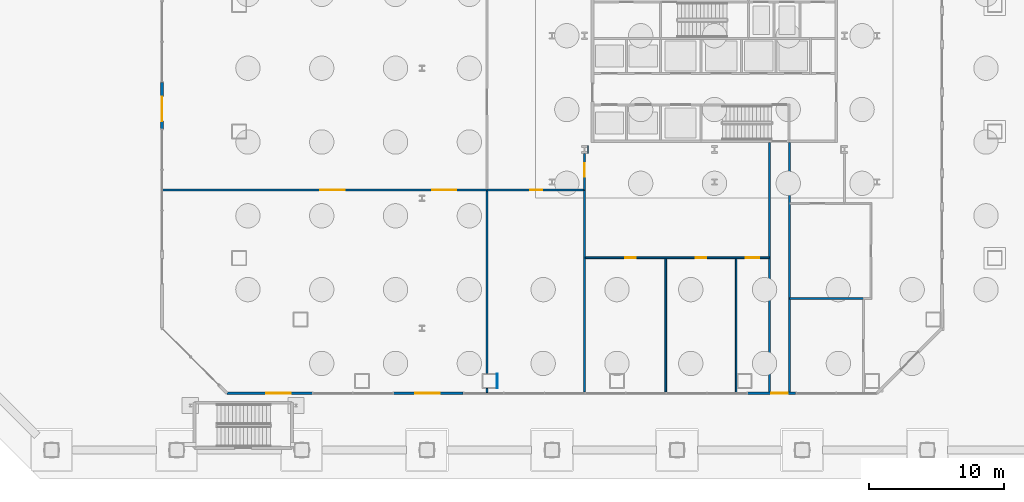
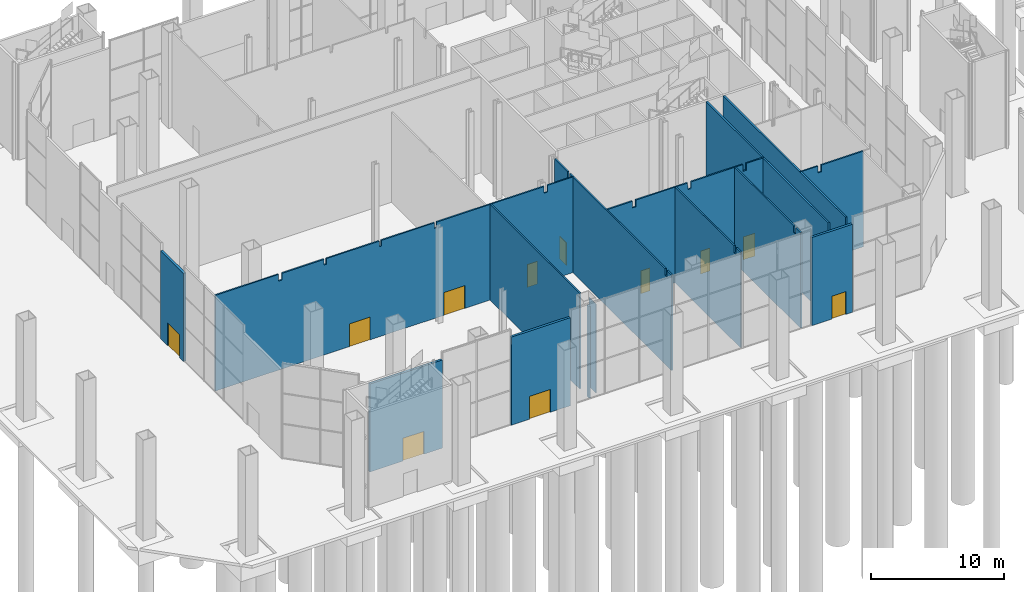
# One storey, part 23 of 38: 18 walls, 11 doors, 11 openings.
"""IFC4 building model written with IfcOpenShell, lengths in metres."""

from ifc_helpers import new_model, si_unit, direction, frame, frame_2d, origin, place, context, subcontext, project, spatial, polyline, rectangle, outline, extrude, material, layer, layer_set, type_object, element, fill, save


model = new_model("IFC4")

# Units and contexts
model_context = context("Model", 3, precision=1e-05, world=origin(), true_north=direction((0.0, 1.0)))
body_context = subcontext(model_context, "Body", "Model", "MODEL_VIEW")
ifc_project = project(units=[si_unit("LENGTHUNIT", "METRE"), si_unit("AREAUNIT", "SQUARE_METRE"), si_unit("VOLUMEUNIT", "CUBIC_METRE"), si_unit("PLANEANGLEUNIT", "RADIAN"), si_unit("MASSUNIT", "GRAM", prefix="KILO")], contexts=[model_context])

# Site, building, storey
site_placement = place(None, origin())
site = spatial("IfcSite", under=ifc_project, at=site_placement, CompositionType="ELEMENT")
building_placement = place(site_placement, origin())
building = spatial("IfcBuilding", under=site, at=building_placement, Name="Cairn Pilgrim Tower", CompositionType="ELEMENT")
storey_placement = place(building_placement, origin())
storey = spatial("IfcBuildingStorey", under=building, at=storey_placement, Name="L00", CompositionType="ELEMENT", Elevation=0.0)

# Walls
ifc_material_1 = material(Name="Concrete C32/40", Category="concrete")
ifc_layer_1 = layer(ifc_material_1, 0.14990234375)
ifc_layer_set_1 = layer_set([ifc_layer_1], Name="CORE SHAFT WALL 150 EI 120")
wall_type_1 = type_object("IfcWallType", Name="CORE SHAFT WALL 150 EI 120", PredefinedType="SOLIDWALL", material=ifc_layer_set_1)
for number, where, z_axis, x_axis, name in (
    (1, (11.25, -23.89990234375, 0.0), (0.0, 0.0, 1.0), (0.0, 1.0, 0.0), "CW:L00:XPA1"),
    (2, (12.75, -23.89990234375, 0.0), (0.0, 0.0, 1.0), (0.0, 1.0, 0.0), "CW:L00:XPA2"),
):
    element("IfcWall", number, at=place(storey_placement, frame(where, z_axis=z_axis, x_axis=x_axis)), inside=storey, type_object=wall_type_1, Name=name, PredefinedType="SOLIDWALL", context=body_context, shape_type="SweptSolid", body=[
        extrude(rectangle(XDim=18.39990234375, YDim=0.14990234375, at=frame_2d((9.199951171875, 0.0))), origin(), (0.0, 0.0, 1.0), 8.800048828125),
    ])

# Wall, opening, door
ifc_material_2 = material(Name="Concrete C35/45 backup wall with bronze aluminium cladding", Category="concrete")
ifc_layer_2 = layer(ifc_material_2, 0.199951171875)
ifc_layer_set_2 = layer_set([ifc_layer_2], Name="ENTRANCE PORTAL WALL 200 BRONZE-CLAD")
wall_type_2 = type_object("IfcWallType", Name="ENTRANCE PORTAL WALL 200 BRONZE-CLAD", PredefinedType="SOLIDWALL", material=ifc_layer_set_2)
wall_1_placement = place(storey_placement, frame((-22.5, -24.0, 0.0), z_axis=(0.0, 0.0, 1.0), x_axis=(-1.0, 0.0, 0.0)))
wall_1 = element("IfcWall", 3, at=wall_1_placement, inside=storey, type_object=wall_type_2, Name="ENTRANCE PORTAL 0.1", PredefinedType="SOLIDWALL", context=body_context, shape_type="SweptSolid", body=[
    extrude(rectangle(XDim=6.300048828125, YDim=0.199951171875, at=frame_2d((3.14990234375, 0.0))), origin(), (0.0, 0.0, 1.0), 8.10009765625),
])
opening_1_placement = place(wall_1_placement, frame((1.60009765625, 0.0, 0.0)))
opening_1 = element("IfcOpeningElement", 4, at=opening_1_placement, cuts=wall_1, Name="Opening X01", PredefinedType="OPENING", context=body_context, shape_type="SweptSolid", body=[
    extrude(rectangle(XDim=1.800048828125, YDim=2.10009765625, at=frame_2d((0.89990234375, 1.050048828125))), frame((0.0, 0.10986328125, 0.0), z_axis=(0.0, -1.0, 0.0), x_axis=(1.0, 0.0, 0.0)), (0.0, 0.0, 1.0), 0.219970703125),
])
ifc_material_3 = material(Name="Bronze anodised aluminium frame with tinted toughened glass", Category="aluminium")
door_type_1 = type_object("IfcDoorType", Name="PAVILION EXIT DOOR PAIR 1800x2100", OperationType="DOUBLE_DOOR_SINGLE_SWING", PredefinedType="DOOR", material=ifc_material_3)
door_1_placement = place(opening_1_placement, origin())
door_1 = element("IfcDoor", 5, at=door_1_placement, inside=storey, type_object=door_type_1, Name="PAVILION EXIT DOOR", OperationType="SINGLE_SWING_LEFT", OverallHeight=2.10009765625, OverallWidth=1.800048828125, PredefinedType="DOOR", context=body_context, shape_type="SweptSolid", body=[
    extrude(rectangle(XDim=1.800048828125, YDim=2.10009765625, at=frame_2d((0.89990234375, 1.050048828125))), frame((0.0, 0.02490234375, 0.0), z_axis=(0.0, -1.0, 0.0), x_axis=(1.0, 0.0, 0.0)), (0.0, 0.0, 1.0), 0.050048828125),
])
fill(opening_1, door_1)

wall_2_placement = place(storey_placement, frame((-11.35009765625, -24.0, 0.0), z_axis=(0.0, 0.0, 1.0), x_axis=(-1.0, 0.0, 0.0)))
wall_2 = element("IfcWall", 6, at=wall_2_placement, inside=storey, type_object=wall_type_2, Name="ENTRANCE PORTAL 0.3", PredefinedType="SOLIDWALL", context=body_context, shape_type="SweptSolid", body=[
    extrude(rectangle(XDim=5.14990234375, YDim=0.199951171875, at=frame_2d((2.574951171875, 0.0))), origin(), (0.0, 0.0, 1.0), 8.10009765625),
])
opening_2_placement = place(wall_2_placement, frame((1.75, 0.0, 0.0)))
opening_2 = element("IfcOpeningElement", 7, at=opening_2_placement, cuts=wall_2, Name="Opening X03", PredefinedType="OPENING", context=body_context, shape_type="SweptSolid", body=[
    extrude(rectangle(XDim=1.800048828125, YDim=2.10009765625, at=frame_2d((0.89990234375, 1.050048828125))), frame((0.0, 0.10986328125, 0.0), z_axis=(0.0, -1.0, 0.0), x_axis=(1.0, 0.0, 0.0)), (0.0, 0.0, 1.0), 0.219970703125),
])
door_2_placement = place(opening_2_placement, origin())
door_2 = element("IfcDoor", 8, at=door_2_placement, inside=storey, type_object=door_type_1, Name="PAVILION EXIT DOOR", OperationType="SINGLE_SWING_LEFT", OverallHeight=2.10009765625, OverallWidth=1.800048828125, PredefinedType="DOOR", context=body_context, shape_type="SweptSolid", body=[
    extrude(rectangle(XDim=1.800048828125, YDim=2.10009765625, at=frame_2d((0.89990234375, 1.050048828125))), frame((0.0, 0.02490234375, 0.0), z_axis=(0.0, -1.0, 0.0), x_axis=(1.0, 0.0, 0.0)), (0.0, 0.0, 1.0), 0.050048828125),
])
fill(opening_2, door_2)

wall_3_placement = place(storey_placement, frame((13.199951171875, -24.0, 0.0), z_axis=(0.0, 0.0, 1.0), x_axis=(-1.0, 0.0, 0.0)))
wall_3 = element("IfcWall", 9, at=wall_3_placement, inside=storey, type_object=wall_type_2, Name="ENTRANCE PORTAL 0.5", PredefinedType="SOLIDWALL", context=body_context, shape_type="SweptSolid", body=[
    extrude(rectangle(XDim=3.550048828125, YDim=0.199951171875, at=frame_2d((1.77490234375, 0.0))), origin(), (0.0, 0.0, 1.0), 8.10009765625),
])
opening_3_placement = place(wall_3_placement, frame((0.60009765625, 0.0, 0.0)))
opening_3 = element("IfcOpeningElement", 10, at=opening_3_placement, cuts=wall_3, Name="Opening X05", PredefinedType="OPENING", context=body_context, shape_type="SweptSolid", body=[
    extrude(rectangle(XDim=1.199951171875, YDim=2.10009765625, at=frame_2d((0.60009765625, 1.050048828125))), frame((0.0, 0.10986328125, 0.0), z_axis=(0.0, -1.0, 0.0), x_axis=(1.0, 0.0, 0.0)), (0.0, 0.0, 1.0), 0.219970703125),
])
ifc_material_4 = material(Name="Painted steel", Category="steel")
door_type_2 = type_object("IfcDoorType", Name="PAVILION EXIT DOOR 1200x2100 FD60S", OperationType="SINGLE_SWING_LEFT", PredefinedType="DOOR", material=ifc_material_4)
door_3_placement = place(opening_3_placement, origin())
door_3 = element("IfcDoor", 11, at=door_3_placement, inside=storey, type_object=door_type_2, Name="PAVILION EXIT DOOR", OperationType="SINGLE_SWING_LEFT", OverallHeight=2.10009765625, OverallWidth=1.199951171875, PredefinedType="DOOR", context=body_context, shape_type="SweptSolid", body=[
    extrude(rectangle(XDim=1.199951171875, YDim=2.10009765625, at=frame_2d((0.60009765625, 1.050048828125))), frame((0.0, 0.02490234375, 0.0), z_axis=(0.0, -1.0, 0.0), x_axis=(1.0, 0.0, 0.0)), (0.0, 0.0, 1.0), 0.050048828125),
])
fill(opening_3, door_3)

wall_4_placement = place(storey_placement, frame((-33.60009765625, -4.5, 0.0), z_axis=(0.0, 0.0, 1.0), x_axis=(0.0, 1.0, 0.0)))
wall_4 = element("IfcWall", 12, at=wall_4_placement, inside=storey, type_object=wall_type_2, Name="ENTRANCE PORTAL 6.6", PredefinedType="SOLIDWALL", context=body_context, shape_type="SweptSolid", body=[
    extrude(rectangle(XDim=3.449951171875, YDim=0.199951171875, at=frame_2d((1.72509765625, 0.0))), origin(), (0.0, 0.0, 1.0), 8.10009765625),
])
opening_4_placement = place(wall_4_placement, frame((0.60009765625, 0.0, 0.0)))
opening_4 = element("IfcOpeningElement", 13, at=opening_4_placement, cuts=wall_4, Name="Opening X66", PredefinedType="OPENING", context=body_context, shape_type="SweptSolid", body=[
    extrude(rectangle(XDim=1.800048828125, YDim=2.10009765625, at=frame_2d((0.89990234375, 1.050048828125))), frame((0.0, 0.10986328125, 0.0), z_axis=(0.0, -1.0, 0.0), x_axis=(1.0, 0.0, 0.0)), (0.0, 0.0, 1.0), 0.219970703125),
])
door_4_placement = place(opening_4_placement, origin())
door_4 = element("IfcDoor", 14, at=door_4_placement, inside=storey, type_object=door_type_1, Name="PAVILION EXIT DOOR", OperationType="SINGLE_SWING_LEFT", OverallHeight=2.10009765625, OverallWidth=1.800048828125, PredefinedType="DOOR", context=body_context, shape_type="SweptSolid", body=[
    extrude(rectangle(XDim=1.800048828125, YDim=2.10009765625, at=frame_2d((0.89990234375, 1.050048828125))), frame((0.0, 0.02490234375, 0.0), z_axis=(0.0, -1.0, 0.0), x_axis=(1.0, 0.0, 0.0)), (0.0, 0.0, 1.0), 0.050048828125),
])
fill(opening_4, door_4)

# Walls
ifc_material_5 = material(Name="Gypsum partition")
ifc_layer_3 = layer(ifc_material_5, 0.125)
ifc_layer_set_3 = layer_set([ifc_layer_3], Name="PARTITION 125 DRYWALL EI 60")
wall_type_3 = type_object("IfcWallType", Name="PARTITION 125 DRYWALL EI 60", PredefinedType="PARTITIONING", material=ifc_layer_set_3)
wall_5_placement = place(storey_placement, frame((-9.60009765625, -23.9560546875, 0.0), z_axis=(0.0, 0.0, 1.0), x_axis=(0.0, 1.0, 0.0)))
element("IfcWall", 15, at=wall_5_placement, inside=storey, type_object=wall_type_3, Name="PARTITION W001", PredefinedType="PARTITIONING", context=body_context, shape_type="SweptSolid", body=[
    extrude(rectangle(XDim=0.30615234375, YDim=0.125, at=frame_2d((0.153076171875, 0.0))), origin(), (0.0, 0.0, 1.0), 8.419921875),
])
wall_6_placement = place(storey_placement, frame((8.800048828125, -23.9560546875, 0.0), z_axis=(0.0, 0.0, 1.0), x_axis=(0.0, 1.0, 0.0)))
element("IfcWall", 16, at=wall_6_placement, inside=storey, type_object=wall_type_3, Name="PARTITION W002", PredefinedType="PARTITIONING", context=body_context, shape_type="SweptSolid", body=[
    extrude(outline(polyline([(0.0, 0.0), (9.8935546875, 0.0), (9.8935546875, 8.800048828125), (1.006103515625, 8.800048828125), (1.00390625, 8.179931640625), (0.7060546875, 8.179931640625), (0.7041015625, 8.800048828125), (0.0, 8.800048828125), (0.0, 0.0)])), frame((0.0, 0.0625, 0.0), z_axis=(0.0, -1.0, 0.0), x_axis=(1.0, 0.0, 0.0)), (0.0, 0.0, 1.0), 0.125),
])
wall_7_placement = place(storey_placement, frame((-2.39990234375, -23.906005859375, 0.0), z_axis=(0.0, 0.0, 1.0), x_axis=(0.0, 1.0, 0.0)))
element("IfcWall", 17, at=wall_7_placement, inside=storey, type_object=wall_type_3, Name="PARTITION W004", PredefinedType="PARTITIONING", context=body_context, shape_type="SweptSolid", body=[
    extrude(outline(polyline([(0.0, 0.0), (14.906005859375, 0.0), (14.906005859375, 8.800048828125), (0.9560546875, 8.800048828125), (0.9541015625, 8.179931640625), (0.656005859375, 8.179931640625), (0.654052734375, 8.800048828125), (0.0, 8.800048828125), (0.0, 0.0)])), frame((0.0, 0.0625, 0.0), z_axis=(0.0, -1.0, 0.0), x_axis=(1.0, 0.0, 0.0)), (0.0, 0.0, 1.0), 0.125),
])
wall_8_placement = place(storey_placement, frame((3.60009765625, -23.906005859375, 0.0), z_axis=(0.0, 0.0, 1.0), x_axis=(0.0, 1.0, 0.0)))
element("IfcWall", 18, at=wall_8_placement, inside=storey, type_object=wall_type_3, Name="PARTITION W005", PredefinedType="PARTITIONING", context=body_context, shape_type="SweptSolid", body=[
    extrude(outline(polyline([(0.0, 0.0), (9.843505859375, 0.0), (9.843505859375, 8.800048828125), (0.9560546875, 8.800048828125), (0.9541015625, 8.179931640625), (0.656005859375, 8.179931640625), (0.654052734375, 8.800048828125), (0.0, 8.800048828125), (0.0, 0.0)])), frame((0.0, 0.0625, 0.0), z_axis=(0.0, -1.0, 0.0), x_axis=(1.0, 0.0, 0.0)), (0.0, 0.0, 1.0), 0.125),
])
wall_9_placement = place(storey_placement, frame((-9.60009765625, -22.550048828125, 0.0), z_axis=(0.0, 0.0, 1.0), x_axis=(0.0, 1.0, 0.0)))
element("IfcWall", 19, at=wall_9_placement, inside=storey, type_object=wall_type_3, Name="PARTITION W006", PredefinedType="PARTITIONING", context=body_context, shape_type="SweptSolid", body=[
    extrude(rectangle(XDim=13.487548828125, YDim=0.125, at=frame_2d((6.74365234375, 0.0))), origin(), (0.0, 0.0, 1.0), 8.800048828125),
])
wall_10_placement = place(storey_placement, frame((12.75, -17.0, 0.0), z_axis=(0.0, 0.0, 1.0), x_axis=(1.0, 0.0, 0.0)))
element("IfcWall", 20, at=wall_10_placement, inside=storey, type_object=wall_type_3, Name="PARTITION W007", PredefinedType="PARTITIONING", context=body_context, shape_type="SweptSolid", body=[
    extrude(outline(polyline([(0.0, 0.0), (5.449951171875, 0.0), (5.449951171875, 8.800048828125), (1.800048828125, 8.800048828125), (1.798095703125, 8.179931640625), (1.5, 8.179931640625), (1.498046875, 8.800048828125), (0.0, 8.800048828125), (0.0, 0.0)])), frame((0.0, 0.0625, 0.0), z_axis=(0.0, -1.0, 0.0), x_axis=(1.0, 0.0, 0.0)), (0.0, 0.0, 1.0), 0.125),
])

# Wall, openings, doors
wall_11_placement = place(storey_placement, frame((-2.33740234375, -14.0, 0.0), z_axis=(0.0, 0.0, 1.0), x_axis=(1.0, 0.0, 0.0)))
wall_11 = element("IfcWall", 21, at=wall_11_placement, inside=storey, type_object=wall_type_3, Name="PARTITION W010", PredefinedType="PARTITIONING", context=body_context, shape_type="SweptSolid", body=[
    extrude(outline(polyline([(0.0, 0.0), (13.58740234375, 0.0), (13.58740234375, 8.800048828125), (12.08740234375, 8.800048828125), (12.08544921875, 8.179931640625), (11.78759765625, 8.179931640625), (11.785400390625, 8.800048828125), (7.28759765625, 8.800048828125), (7.285400390625, 8.179931640625), (6.987548828125, 8.179931640625), (6.985595703125, 8.800048828125), (2.487548828125, 8.800048828125), (2.485595703125, 8.179931640625), (2.1875, 8.179931640625), (2.185546875, 8.800048828125), (0.0, 8.800048828125), (0.0, 0.0)])), frame((0.0, 0.0625, 0.0), z_axis=(0.0, -1.0, 0.0), x_axis=(1.0, 0.0, 0.0)), (0.0, 0.0, 1.0), 0.125),
])
opening_5_placement = place(wall_11_placement, frame((2.9375, 0.0, 0.0)))
opening_5 = element("IfcOpeningElement", 22, at=opening_5_placement, cuts=wall_11, Name="Opening 0010", PredefinedType="OPENING", context=body_context, shape_type="SweptSolid", body=[
    extrude(rectangle(XDim=0.800048828125, YDim=2.10009765625, at=frame_2d((0.39990234375, 1.050048828125))), frame((0.0, 0.072509765625, 0.0), z_axis=(0.0, -1.0, 0.0), x_axis=(1.0, 0.0, 0.0)), (0.0, 0.0, 1.0), 0.14501953125),
])
opening_6_placement = place(wall_11_placement, frame((8.137451171875, 0.0, 0.0)))
opening_6 = element("IfcOpeningElement", 23, at=opening_6_placement, cuts=wall_11, Name="Opening 0011", PredefinedType="OPENING", context=body_context, shape_type="SweptSolid", body=[
    extrude(rectangle(XDim=0.800048828125, YDim=2.10009765625, at=frame_2d((0.39990234375, 1.050048828125))), frame((0.0, 0.072509765625, 0.0), z_axis=(0.0, -1.0, 0.0), x_axis=(1.0, 0.0, 0.0)), (0.0, 0.0, 1.0), 0.14501953125),
])
opening_7_placement = place(wall_11_placement, frame((11.83740234375, 0.0, 0.0)))
opening_7 = element("IfcOpeningElement", 24, at=opening_7_placement, cuts=wall_11, Name="Opening 0012", PredefinedType="OPENING", context=body_context, shape_type="SweptSolid", body=[
    extrude(rectangle(XDim=1.0, YDim=2.10009765625, at=frame_2d((0.5, 1.050048828125))), frame((0.0, 0.072509765625, 0.0), z_axis=(0.0, -1.0, 0.0), x_axis=(1.0, 0.0, 0.0)), (0.0, 0.0, 1.0), 0.14501953125),
])
ifc_material_6 = material(Name="Timber door leaf", Category="wood")
door_type_3 = type_object("IfcDoorType", Name="ACCESSIBLE DOOR 1000x2100 FD30S", OperationType="NOTDEFINED", PredefinedType="DOOR", material=ifc_material_6)
door_5_placement = place(opening_7_placement, frame((1.0, 0.0, 0.0), z_axis=(0.0, 0.0, 1.0), x_axis=(-1.0, 0.0, 0.0)))
door_5 = element("IfcDoor", 25, at=door_5_placement, inside=storey, type_object=door_type_3, Name="DOOR 0012", OperationType="SINGLE_SWING_LEFT", OverallHeight=2.10009765625, OverallWidth=1.0, PredefinedType="DOOR", context=body_context, shape_type="SweptSolid", body=[
    extrude(rectangle(XDim=1.0, YDim=2.10009765625, at=frame_2d((0.5, 1.050048828125))), frame((0.0, 0.02490234375, 0.0), z_axis=(0.0, -1.0, 0.0), x_axis=(1.0, 0.0, 0.0)), (0.0, 0.0, 1.0), 0.050048828125),
])
fill(opening_7, door_5)
door_type_4 = type_object("IfcDoorType", Name="WC DOOR 800x2100 FD30S", OperationType="NOTDEFINED", PredefinedType="DOOR", material=ifc_material_6)
door_6_placement = place(opening_5_placement, frame((0.800048828125, 0.0, 0.0), z_axis=(0.0, 0.0, 1.0), x_axis=(-1.0, 0.0, 0.0)))
door_6 = element("IfcDoor", 26, at=door_6_placement, inside=storey, type_object=door_type_4, Name="DOOR 0010", OperationType="SINGLE_SWING_LEFT", OverallHeight=2.10009765625, OverallWidth=0.800048828125, PredefinedType="DOOR", context=body_context, shape_type="SweptSolid", body=[
    extrude(rectangle(XDim=0.800048828125, YDim=2.10009765625, at=frame_2d((0.39990234375, 1.050048828125))), frame((0.0, 0.02490234375, 0.0), z_axis=(0.0, -1.0, 0.0), x_axis=(1.0, 0.0, 0.0)), (0.0, 0.0, 1.0), 0.050048828125),
])
fill(opening_5, door_6)
door_7_placement = place(opening_6_placement, frame((0.800048828125, 0.0, 0.0), z_axis=(0.0, 0.0, 1.0), x_axis=(-1.0, 0.0, 0.0)))
door_7 = element("IfcDoor", 27, at=door_7_placement, inside=storey, type_object=door_type_4, Name="DOOR 0011", OperationType="SINGLE_SWING_RIGHT", OverallHeight=2.10009765625, OverallWidth=0.800048828125, PredefinedType="DOOR", context=body_context, shape_type="SweptSolid", body=[
    extrude(rectangle(XDim=0.800048828125, YDim=2.10009765625, at=frame_2d((0.39990234375, 1.050048828125))), frame((0.0, 0.02490234375, 0.0), z_axis=(0.0, -1.0, 0.0), x_axis=(1.0, 0.0, 0.0)), (0.0, 0.0, 1.0), 0.050048828125),
])
fill(opening_6, door_7)

wall_12_placement = place(storey_placement, frame((-33.555908203125, -9.0, 0.0), z_axis=(0.0, 0.0, 1.0), x_axis=(1.0, 0.0, 0.0)))
wall_12 = element("IfcWall", 28, at=wall_12_placement, inside=storey, type_object=wall_type_3, Name="PARTITION W014", PredefinedType="PARTITIONING", context=body_context, shape_type="SweptSolid", body=[
    extrude(outline(polyline([(0.0, 0.0), (23.955810546875, 0.0), (23.9560546875, 8.800048828125), (19.256103515625, 8.800048828125), (19.25390625, 8.280029296875), (19.055908203125, 8.280029296875), (19.053955078125, 8.800048828125), (14.4560546875, 8.800048828125), (14.4541015625, 8.280029296875), (14.256103515625, 8.280029296875), (14.25390625, 8.800048828125), (9.656005859375, 8.800048828125), (9.654052734375, 8.280029296875), (9.4560546875, 8.280029296875), (9.4541015625, 8.800048828125), (5.805908203125, 8.800048828125), (5.803955078125, 8.179931640625), (5.506103515625, 8.179931640625), (5.50390625, 8.800048828125), (0.0, 8.800048828125), (0.0, 0.0)])), frame((0.0, 0.0625, 0.0), z_axis=(0.0, -1.0, 0.0), x_axis=(1.0, 0.0, 0.0)), (0.0, 0.0, 1.0), 0.125),
])
opening_8_placement = place(wall_12_placement, frame((11.656005859375, 0.0, 0.0)))
opening_8 = element("IfcOpeningElement", 29, at=opening_8_placement, cuts=wall_12, Name="Opening 0006", PredefinedType="OPENING", context=body_context, shape_type="SweptSolid", body=[
    extrude(rectangle(XDim=1.800048828125, YDim=2.10009765625, at=frame_2d((0.89990234375, 1.050048828125))), frame((0.0, 0.072509765625, 0.0), z_axis=(0.0, -1.0, 0.0), x_axis=(1.0, 0.0, 0.0)), (0.0, 0.0, 1.0), 0.14501953125),
])
opening_9_placement = place(wall_12_placement, frame((19.906005859375, 0.0, 0.0)))
opening_9 = element("IfcOpeningElement", 30, at=opening_9_placement, cuts=wall_12, Name="Opening 0007", PredefinedType="OPENING", context=body_context, shape_type="SweptSolid", body=[
    extrude(rectangle(XDim=1.800048828125, YDim=2.10009765625, at=frame_2d((0.89990234375, 1.050048828125))), frame((0.0, 0.072509765625, 0.0), z_axis=(0.0, -1.0, 0.0), x_axis=(1.0, 0.0, 0.0)), (0.0, 0.0, 1.0), 0.14501953125),
])
door_type_5 = type_object("IfcDoorType", Name="DOOR PAIR 1800x2100 FD60S", OperationType="NOTDEFINED", PredefinedType="DOOR", material=ifc_material_6)
door_8_placement = place(opening_8_placement, origin())
door_8 = element("IfcDoor", 31, at=door_8_placement, inside=storey, type_object=door_type_5, Name="DOOR 0006", OperationType="DOUBLE_DOOR_SINGLE_SWING", OverallHeight=2.10009765625, OverallWidth=1.800048828125, PredefinedType="DOOR", context=body_context, shape_type="SweptSolid", body=[
    extrude(rectangle(XDim=1.800048828125, YDim=2.10009765625, at=frame_2d((0.89990234375, 1.050048828125))), frame((0.0, 0.02490234375, 0.0), z_axis=(0.0, -1.0, 0.0), x_axis=(1.0, 0.0, 0.0)), (0.0, 0.0, 1.0), 0.050048828125),
])
fill(opening_8, door_8)
door_9_placement = place(opening_9_placement, origin())
door_9 = element("IfcDoor", 32, at=door_9_placement, inside=storey, type_object=door_type_5, Name="DOOR 0007", OperationType="DOUBLE_DOOR_SINGLE_SWING", OverallHeight=2.10009765625, OverallWidth=1.800048828125, PredefinedType="DOOR", context=body_context, shape_type="SweptSolid", body=[
    extrude(rectangle(XDim=1.800048828125, YDim=2.10009765625, at=frame_2d((0.89990234375, 1.050048828125))), frame((0.0, 0.02490234375, 0.0), z_axis=(0.0, -1.0, 0.0), x_axis=(1.0, 0.0, 0.0)), (0.0, 0.0, 1.0), 0.050048828125),
])
fill(opening_9, door_9)

# Wall, opening, door
wall_13_placement = place(storey_placement, frame((-9.60009765625, -9.0, 0.0), z_axis=(0.0, 0.0, 1.0), x_axis=(1.0, 0.0, 0.0)))
wall_13 = element("IfcWall", 33, at=wall_13_placement, inside=storey, type_object=wall_type_3, Name="PARTITION W015", PredefinedType="PARTITIONING", context=body_context, shape_type="SweptSolid", body=[
    extrude(outline(polyline([(0.0, 0.0), (7.1376953125, 0.0), (7.137451171875, 8.800048828125), (4.949951171875, 8.800048828125), (4.947998046875, 8.179931640625), (4.64990234375, 8.179931640625), (4.64794921875, 8.800048828125), (0.0, 8.800048828125), (0.0, 0.0)])), frame((0.0, 0.0625, 0.0), z_axis=(0.0, -1.0, 0.0), x_axis=(1.0, 0.0, 0.0)), (0.0, 0.0, 1.0), 0.125),
])
opening_10_placement = place(wall_13_placement, frame((3.199951171875, 0.0, 0.0)))
opening_10 = element("IfcOpeningElement", 34, at=opening_10_placement, cuts=wall_13, Name="Opening 0009", PredefinedType="OPENING", context=body_context, shape_type="SweptSolid", body=[
    extrude(rectangle(XDim=0.89990234375, YDim=2.10009765625, at=frame_2d((0.449951171875, 1.050048828125))), frame((0.0, 0.072509765625, 0.0), z_axis=(0.0, -1.0, 0.0), x_axis=(1.0, 0.0, 0.0)), (0.0, 0.0, 1.0), 0.14501953125),
])
door_type_6 = type_object("IfcDoorType", Name="SERVICE DOOR 900x2100 FD30S", OperationType="NOTDEFINED", PredefinedType="DOOR", material=ifc_material_6)
door_10_placement = place(opening_10_placement, frame((0.89990234375, 0.0, 0.0), z_axis=(0.0, 0.0, 1.0), x_axis=(-1.0, 0.0, 0.0)))
door_10 = element("IfcDoor", 35, at=door_10_placement, inside=storey, type_object=door_type_6, Name="DOOR 0009", OperationType="SINGLE_SWING_LEFT", OverallHeight=2.10009765625, OverallWidth=0.89990234375, PredefinedType="DOOR", context=body_context, shape_type="SweptSolid", body=[
    extrude(rectangle(XDim=0.89990234375, YDim=2.10009765625, at=frame_2d((0.449951171875, 1.050048828125))), frame((0.0, 0.02490234375, 0.0), z_axis=(0.0, -1.0, 0.0), x_axis=(1.0, 0.0, 0.0)), (0.0, 0.0, 1.0), 0.050048828125),
])
fill(opening_10, door_10)

wall_14_placement = place(storey_placement, frame((-2.39990234375, -9.0, 0.0), z_axis=(0.0, 0.0, 1.0), x_axis=(0.0, 1.0, 0.0)))
wall_14 = element("IfcWall", 36, at=wall_14_placement, inside=storey, type_object=wall_type_3, Name="PARTITION W016", PredefinedType="PARTITIONING", context=body_context, shape_type="SweptSolid", body=[
    extrude(outline(polyline([(0.0, 0.0), (2.715576171875, 0.0), (2.715576171875, 8.800048828125), (0.75, 8.800048828125), (0.748046875, 8.080078125), (0.449951171875, 8.080078125), (0.447998046875, 8.800048828125), (0.0, 8.800048828125), (0.0, 0.0)])), frame((0.0, 0.0625, 0.0), z_axis=(0.0, -1.0, 0.0), x_axis=(1.0, 0.0, 0.0)), (0.0, 0.0, 1.0), 0.125),
])
opening_11_placement = place(wall_14_placement, frame((1.0, 0.0, 0.0)))
opening_11 = element("IfcOpeningElement", 37, at=opening_11_placement, cuts=wall_14, Name="Opening 0013", PredefinedType="OPENING", context=body_context, shape_type="SweptSolid", body=[
    extrude(rectangle(XDim=1.0, YDim=2.10009765625, at=frame_2d((0.5, 1.050048828125))), frame((0.0, 0.072509765625, 0.0), z_axis=(0.0, -1.0, 0.0), x_axis=(1.0, 0.0, 0.0)), (0.0, 0.0, 1.0), 0.14501953125),
])
ifc_material_7 = material(Name="Steel-faced fire door leaf", Category="steel")
door_type_7 = type_object("IfcDoorType", Name="FIRE DOOR 1000x2100 FD60S", OperationType="NOTDEFINED", PredefinedType="DOOR", material=ifc_material_7)
door_11_placement = place(opening_11_placement, origin())
door_11 = element("IfcDoor", 38, at=door_11_placement, inside=storey, type_object=door_type_7, Name="DOOR 0013", OperationType="SINGLE_SWING_RIGHT", OverallHeight=2.10009765625, OverallWidth=1.0, PredefinedType="DOOR", context=body_context, shape_type="SweptSolid", body=[
    extrude(rectangle(XDim=1.0, YDim=2.10009765625, at=frame_2d((0.5, 1.050048828125))), frame((0.0, 0.02490234375, 0.0), z_axis=(0.0, -1.0, 0.0), x_axis=(1.0, 0.0, 0.0)), (0.0, 0.0, 1.0), 0.050048828125),
])
fill(opening_11, door_11)

# Walls
ifc_layer_4 = layer(ifc_material_5, 0.050048828125)
ifc_layer_set_4 = layer_set([ifc_layer_4], Name="PARTITION 50 DRYWALL EI 60")
wall_type_4 = type_object("IfcWallType", Name="PARTITION 50 DRYWALL EI 60", PredefinedType="PARTITIONING", material=ifc_layer_set_4)
wall_15_placement = place(storey_placement, frame((-8.838623046875, -23.64990234375, 0.0), z_axis=(0.0, 0.0, 1.0), x_axis=(0.0, 1.0, 0.0)))
element("IfcWall", 39, at=wall_15_placement, inside=storey, type_object=wall_type_4, Name="COLUMN CASING WC01", PredefinedType="PARTITIONING", context=body_context, shape_type="SweptSolid", body=[
    extrude(rectangle(XDim=1.099853515625, YDim=0.050048828125, at=frame_2d((0.5498046875, 0.0))), origin(), (0.0, 0.0, 1.0), 8.179931640625),
])
wall_16_placement = place(storey_placement, frame((-2.14794921875, -6.284423828125, 0.0), z_axis=(0.0, 0.0, 1.0), x_axis=(0.0, 1.0, 0.0)))
element("IfcWall", 40, at=wall_16_placement, inside=storey, type_object=wall_type_4, Name="COLUMN CASING WC03", PredefinedType="PARTITIONING", context=body_context, shape_type="SweptSolid", body=[
    extrude(rectangle(XDim=0.56884765625, YDim=0.050048828125, at=frame_2d((0.284423828125, 0.0))), origin(), (0.0, 0.0, 1.0), 8.179931640625),
])

save(model, "model.ifc")
